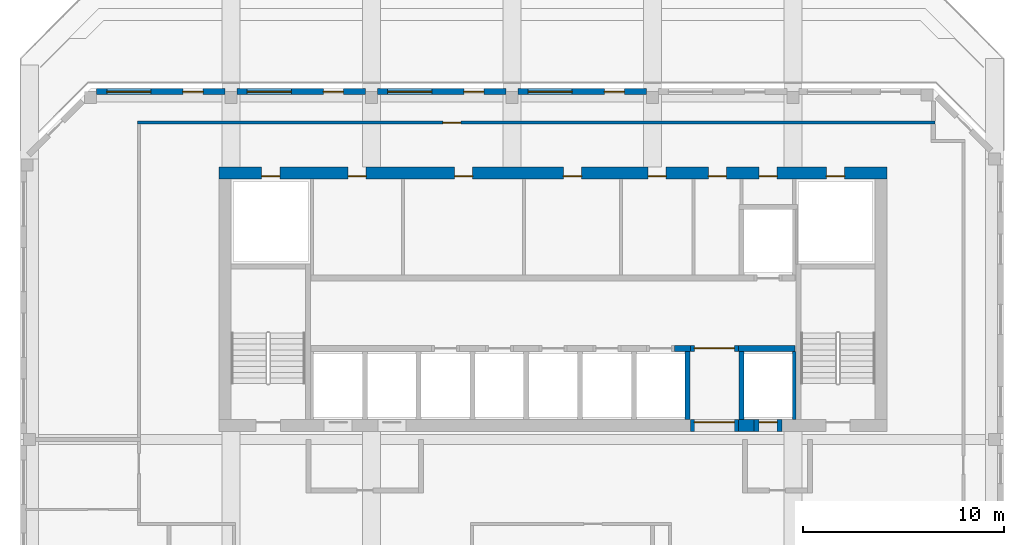
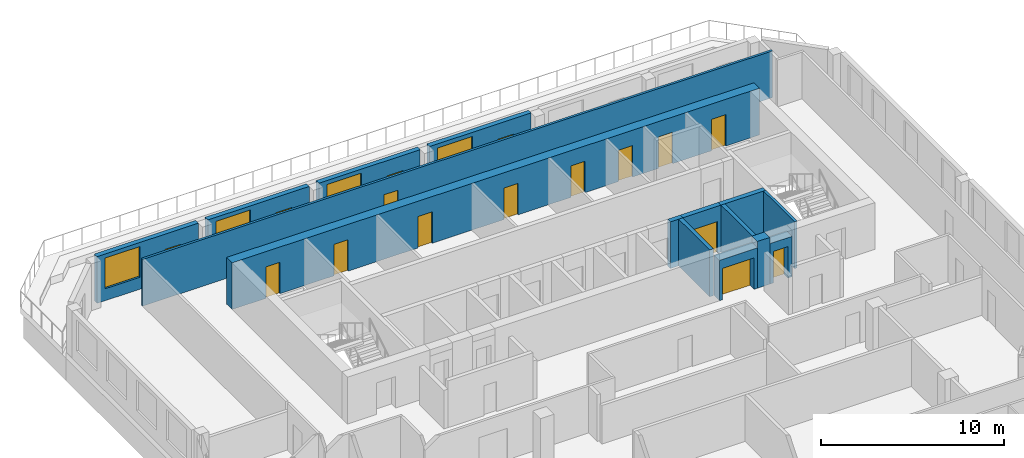
# One storey, part 7 of 12: 16 doors, 15 walls, 4 windows, 20 openings.
"""IFC4 building model written with IfcOpenShell, lengths in metres."""

from ifc_helpers import new_model, si_unit, direction, frame, frame_2d, origin, place, context, subcontext, project, spatial, rectangle, extrude, source, transform, mapped, material, layer, layer_set, type_object, element, fill, save


model = new_model("IFC4")

# Units and contexts
model_context = context("Model", 3, precision=1e-05, world=origin(), true_north=direction((0.0, 1.0)))
body_context = subcontext(model_context, "Body", "Model", "MODEL_VIEW")
ifc_project = project(units=[si_unit("LENGTHUNIT", "METRE"), si_unit("AREAUNIT", "SQUARE_METRE"), si_unit("VOLUMEUNIT", "CUBIC_METRE"), si_unit("PLANEANGLEUNIT", "RADIAN"), si_unit("MASSUNIT", "GRAM", prefix="KILO")], contexts=[model_context])

# Site, building, storey
site_placement = place(None, origin())
site = spatial("IfcSite", under=ifc_project, at=site_placement, CompositionType="ELEMENT")
building_placement = place(site_placement, origin())
building = spatial("IfcBuilding", under=site, at=building_placement, Name="Kilnfold Tower and Market Hall", CompositionType="ELEMENT")
storey_placement = place(building_placement, frame((0.0, 0.0, 295.0)))
storey = spatial("IfcBuildingStorey", under=building, at=storey_placement, Name="L73", CompositionType="ELEMENT", Elevation=295.0)

# Wall, opening, door
ifc_material_1 = material(Name="Gypsum board on steel studs", Category="steel")
ifc_layer_1 = layer(ifc_material_1, 0.14990234375)
ifc_layer_set_1 = layer_set([ifc_layer_1], Name="Gypsum board on steel studs")
wall_type_1 = type_object("IfcWallType", Name="WALL CORRIDOR 150", PredefinedType="PARTITIONING", material=ifc_layer_set_1)
wall_1_placement = place(storey_placement, frame((20.087890625, 23.800048828125, 0.0), z_axis=(0.0, 0.0, 1.0), x_axis=(-1.0, 0.0, 0.0)))
wall_1 = element("IfcWall", 1, at=wall_1_placement, inside=storey, type_object=wall_type_1, Name="Partition LY45.8", PredefinedType="PARTITIONING", context=body_context, shape_type="SweptSolid", body=[
    extrude(rectangle(XDim=39.762939453125, YDim=0.14990234375, at=frame_2d((19.88134765625, 0.0))), origin(), (0.0, 0.0, 1.0), 3.1201171875),
])
opening_1_placement = place(wall_1_placement, frame((23.637939453125, 0.0, 0.0)))
opening_1 = element("IfcOpeningElement", 2, at=opening_1_placement, cuts=wall_1, Name="Opening D2", PredefinedType="OPENING", context=body_context, shape_type="SweptSolid", body=[
    extrude(rectangle(XDim=0.89990234375, YDim=2.10009765625, at=frame_2d((0.449951171875, 1.050048828125))), frame((0.0, 0.0849609375, 0.0), z_axis=(0.0, -1.0, 0.0), x_axis=(1.0, 0.0, 0.0)), (0.0, 0.0, 1.0), 0.169921875),
])
ifc_material_2 = material(Name="Timber veneer door leaf in steel frame", Category="steel")
door_type_1 = type_object("IfcDoorType", Name="DOOR ROOM 900 X2100", OperationType="NOTDEFINED", PredefinedType="DOOR", material=ifc_material_2)
door_1_placement = place(opening_1_placement, origin())
door_1 = element("IfcDoor", 3, at=door_1_placement, inside=storey, type_object=door_type_1, Name="Door D2", OperationType="SINGLE_SWING_LEFT", OverallHeight=2.10009765625, OverallWidth=0.89990234375, PredefinedType="DOOR", context=body_context, shape_type="SweptSolid", body=[
    extrude(rectangle(XDim=0.89990234375, YDim=2.10009765625, at=frame_2d((0.449951171875, 1.050048828125))), frame((0.0, 0.02490234375, 0.0), z_axis=(0.0, -1.0, 0.0), x_axis=(1.0, 0.0, 0.0)), (0.0, 0.0, 1.0), 0.050048828125),
])
fill(opening_1, door_1)

# Walls
ifc_material_3 = material(Name="Concrete C50", Category="concrete")
ifc_layer_2 = layer(ifc_material_3, 0.300048828125)
ifc_layer_set_2 = layer_set([ifc_layer_2], Name="Concrete C50")
wall_type_2 = type_object("IfcWallType", Name="CORE WALL 300 C50", PredefinedType="SHEAR", material=ifc_layer_set_2)
shared_shape_1 = source(origin(), body_context, "Body", "SweptSolid", [
    extrude(rectangle(XDim=0.77978515625, YDim=0.300048828125, at=frame_2d((0.389892578125, 0.0))), origin(), (0.0, 0.0, 1.0), 3.1201171875),
])
wall_2_placement = place(storey_placement, frame((7.110107421875, 12.550048828125, 0.0), z_axis=(0.0, 0.0, 1.0), x_axis=(1.0, 0.0, 0.0)))
element("IfcWall", 4, at=wall_2_placement, inside=storey, type_object=wall_type_2, Name="Core spine wall", PredefinedType="SHEAR", context=body_context, shape_type="MappedRepresentation", body=[
    mapped(shared_shape_1, transform((0.0, 0.0, 0.0))),
])
shared_shape_2 = source(origin(), body_context, "Body", "SweptSolid", [
    extrude(rectangle(XDim=2.820068359375, YDim=0.300048828125, at=frame_2d((1.41015625, 0.0))), origin(), (0.0, 0.0, 1.0), 3.1201171875),
])
wall_3_placement = place(storey_placement, frame((10.2900390625, 12.550048828125, 0.0), z_axis=(0.0, 0.0, 1.0), x_axis=(1.0, 0.0, 0.0)))
element("IfcWall", 5, at=wall_3_placement, inside=storey, type_object=wall_type_2, Name="Core spine wall", PredefinedType="SHEAR", context=body_context, shape_type="MappedRepresentation", body=[
    mapped(shared_shape_2, transform((0.0, 0.0, 0.0))),
])
ifc_material_4 = material(Name="Concrete C50", Category="concrete")
ifc_layer_3 = layer(ifc_material_4, 0.60009765625)
ifc_layer_set_3 = layer_set([ifc_layer_3], Name="Concrete C50")
wall_type_3 = type_object("IfcWallType", Name="CORE WALL 600 C50", PredefinedType="SHEAR", material=ifc_layer_set_3)
shared_shape_3 = source(origin(), body_context, "Body", "SweptSolid", [
    extrude(rectangle(XDim=0.780029296875, YDim=0.60009765625, at=frame_2d((0.39013671875, 0.0))), origin(), (0.0, 0.0, 1.0), 3.1201171875),
])
wall_4_placement = place(storey_placement, frame((10.2900390625, 8.699951171875, 0.0), z_axis=(0.0, 0.0, 1.0), x_axis=(1.0, 0.0, 0.0)))
element("IfcWall", 6, at=wall_4_placement, inside=storey, type_object=wall_type_3, Name="Core outer wall south", PredefinedType="SHEAR", context=body_context, shape_type="MappedRepresentation", body=[
    mapped(shared_shape_3, transform((0.0, 0.0, 0.0))),
])

# Wall, openings, doors
shared_shape_4 = source(origin(), body_context, "Body", "SweptSolid", [
    extrude(rectangle(XDim=33.300048828125, YDim=0.60009765625, at=frame_2d((16.64990234375, 0.0))), origin(), (0.0, 0.0, 1.0), 3.1201171875),
])
wall_5_placement = place(storey_placement, frame((-15.60009765625, 21.300048828125, 0.0), z_axis=(0.0, 0.0, 1.0), x_axis=(1.0, 0.0, 0.0)))
wall_5 = element("IfcWall", 7, at=wall_5_placement, inside=storey, type_object=wall_type_3, Name="Core outer wall north", PredefinedType="SHEAR", context=body_context, shape_type="MappedRepresentation", body=[
    mapped(shared_shape_4, transform((0.0, 0.0, 0.0))),
])
opening_2_placement = place(wall_5_placement, frame((6.431396484375, 0.0, 0.0)))
opening_2 = element("IfcOpeningElement", 8, at=opening_2_placement, cuts=wall_5, Name="Opening KD1", PredefinedType="OPENING", context=body_context, shape_type="SweptSolid", body=[
    extrude(rectangle(XDim=0.89990234375, YDim=2.10009765625, at=frame_2d((0.449951171875, 1.050048828125))), frame((0.0, 0.31005859375, 0.0), z_axis=(0.0, -1.0, 0.0), x_axis=(1.0, 0.0, 0.0)), (0.0, 0.0, 1.0), 0.6201171875),
])
opening_3_placement = place(wall_5_placement, frame((11.73779296875, 0.0, 0.0)))
opening_3 = element("IfcOpeningElement", 9, at=opening_3_placement, cuts=wall_5, Name="Opening KD1", PredefinedType="OPENING", context=body_context, shape_type="SweptSolid", body=[
    extrude(rectangle(XDim=0.89990234375, YDim=2.10009765625, at=frame_2d((0.449951171875, 1.050048828125))), frame((0.0, 0.31005859375, 0.0), z_axis=(0.0, -1.0, 0.0), x_axis=(1.0, 0.0, 0.0)), (0.0, 0.0, 1.0), 0.6201171875),
])
opening_4_placement = place(wall_5_placement, frame((17.164794921875, 0.0, 0.0)))
opening_4 = element("IfcOpeningElement", 10, at=opening_4_placement, cuts=wall_5, Name="Opening KD1", PredefinedType="OPENING", context=body_context, shape_type="SweptSolid", body=[
    extrude(rectangle(XDim=0.89990234375, YDim=2.10009765625, at=frame_2d((0.449951171875, 1.050048828125))), frame((0.0, 0.31005859375, 0.0), z_axis=(0.0, -1.0, 0.0), x_axis=(1.0, 0.0, 0.0)), (0.0, 0.0, 1.0), 0.6201171875),
])
opening_5_placement = place(wall_5_placement, frame((21.3857421875, 0.0, 0.0)))
opening_5 = element("IfcOpeningElement", 11, at=opening_5_placement, cuts=wall_5, Name="Opening KD1", PredefinedType="OPENING", context=body_context, shape_type="SweptSolid", body=[
    extrude(rectangle(XDim=0.89990234375, YDim=2.10009765625, at=frame_2d((0.449951171875, 1.050048828125))), frame((0.0, 0.31005859375, 0.0), z_axis=(0.0, -1.0, 0.0), x_axis=(1.0, 0.0, 0.0)), (0.0, 0.0, 1.0), 0.6201171875),
])
opening_6_placement = place(wall_5_placement, frame((24.387451171875, 0.0, 0.0)))
opening_6 = element("IfcOpeningElement", 12, at=opening_6_placement, cuts=wall_5, Name="Opening KD1", PredefinedType="OPENING", context=body_context, shape_type="SweptSolid", body=[
    extrude(rectangle(XDim=0.89990234375, YDim=2.10009765625, at=frame_2d((0.449951171875, 1.050048828125))), frame((0.0, 0.31005859375, 0.0), z_axis=(0.0, -1.0, 0.0), x_axis=(1.0, 0.0, 0.0)), (0.0, 0.0, 1.0), 0.6201171875),
])
opening_7_placement = place(wall_5_placement, frame((26.919921875, 0.0, 0.0)))
opening_7 = element("IfcOpeningElement", 13, at=opening_7_placement, cuts=wall_5, Name="Opening KD1", PredefinedType="OPENING", context=body_context, shape_type="SweptSolid", body=[
    extrude(rectangle(XDim=0.89990234375, YDim=2.10009765625, at=frame_2d((0.449951171875, 1.050048828125))), frame((0.0, 0.31005859375, 0.0), z_axis=(0.0, -1.0, 0.0), x_axis=(1.0, 0.0, 0.0)), (0.0, 0.0, 1.0), 0.6201171875),
])
opening_8_placement = place(wall_5_placement, frame((2.125, 0.0, 0.0)))
opening_8 = element("IfcOpeningElement", 14, at=opening_8_placement, cuts=wall_5, Name="Opening KD1", PredefinedType="OPENING", context=body_context, shape_type="SweptSolid", body=[
    extrude(rectangle(XDim=0.89990234375, YDim=2.10009765625, at=frame_2d((0.449951171875, 1.050048828125))), frame((0.0, 0.31005859375, 0.0), z_axis=(0.0, -1.0, 0.0), x_axis=(1.0, 0.0, 0.0)), (0.0, 0.0, 1.0), 0.6201171875),
])
opening_9_placement = place(wall_5_placement, frame((30.27490234375, 0.0, 0.0)))
opening_9 = element("IfcOpeningElement", 15, at=opening_9_placement, cuts=wall_5, Name="Opening KD1", PredefinedType="OPENING", context=body_context, shape_type="SweptSolid", body=[
    extrude(rectangle(XDim=0.89990234375, YDim=2.10009765625, at=frame_2d((0.449951171875, 1.050048828125))), frame((0.0, 0.31005859375, 0.0), z_axis=(0.0, -1.0, 0.0), x_axis=(1.0, 0.0, 0.0)), (0.0, 0.0, 1.0), 0.6201171875),
])
ifc_material_5 = material(Name="Steel door set with fire-resisting leaf", Category="steel")
door_type_2 = type_object("IfcDoorType", Name="SERVICE DOOR 900X2100", OperationType="NOTDEFINED", PredefinedType="DOOR", material=ifc_material_5)
door_2_placement = place(opening_2_placement, origin())
door_2 = element("IfcDoor", 16, at=door_2_placement, inside=storey, type_object=door_type_2, Name="Core service door", OperationType="SINGLE_SWING_RIGHT", OverallHeight=2.10009765625, OverallWidth=0.89990234375, PredefinedType="DOOR", context=body_context, shape_type="SweptSolid", body=[
    extrude(rectangle(XDim=0.89990234375, YDim=2.10009765625, at=frame_2d((0.449951171875, 1.050048828125))), frame((0.0, -0.15478515625, 0.0), z_axis=(0.0, -1.0, 0.0), x_axis=(1.0, 0.0, 0.0)), (0.0, 0.0, 1.0), 0.050048828125),
])
fill(opening_2, door_2)
door_3_placement = place(opening_3_placement, origin())
door_3 = element("IfcDoor", 17, at=door_3_placement, inside=storey, type_object=door_type_2, Name="Core service door", OperationType="SINGLE_SWING_LEFT", OverallHeight=2.10009765625, OverallWidth=0.89990234375, PredefinedType="DOOR", context=body_context, shape_type="SweptSolid", body=[
    extrude(rectangle(XDim=0.89990234375, YDim=2.10009765625, at=frame_2d((0.449951171875, 1.050048828125))), frame((0.0, -0.15478515625, 0.0), z_axis=(0.0, -1.0, 0.0), x_axis=(1.0, 0.0, 0.0)), (0.0, 0.0, 1.0), 0.050048828125),
])
fill(opening_3, door_3)
door_4_placement = place(opening_4_placement, origin())
door_4 = element("IfcDoor", 18, at=door_4_placement, inside=storey, type_object=door_type_2, Name="Core service door", OperationType="SINGLE_SWING_RIGHT", OverallHeight=2.10009765625, OverallWidth=0.89990234375, PredefinedType="DOOR", context=body_context, shape_type="SweptSolid", body=[
    extrude(rectangle(XDim=0.89990234375, YDim=2.10009765625, at=frame_2d((0.449951171875, 1.050048828125))), frame((0.0, -0.15478515625, 0.0), z_axis=(0.0, -1.0, 0.0), x_axis=(1.0, 0.0, 0.0)), (0.0, 0.0, 1.0), 0.050048828125),
])
fill(opening_4, door_4)
door_5_placement = place(opening_5_placement, origin())
door_5 = element("IfcDoor", 19, at=door_5_placement, inside=storey, type_object=door_type_2, Name="Core service door", OperationType="SINGLE_SWING_LEFT", OverallHeight=2.10009765625, OverallWidth=0.89990234375, PredefinedType="DOOR", context=body_context, shape_type="SweptSolid", body=[
    extrude(rectangle(XDim=0.89990234375, YDim=2.10009765625, at=frame_2d((0.449951171875, 1.050048828125))), frame((0.0, -0.15478515625, 0.0), z_axis=(0.0, -1.0, 0.0), x_axis=(1.0, 0.0, 0.0)), (0.0, 0.0, 1.0), 0.050048828125),
])
fill(opening_5, door_5)
door_6_placement = place(opening_6_placement, origin())
door_6 = element("IfcDoor", 20, at=door_6_placement, inside=storey, type_object=door_type_2, Name="Core service door", OperationType="SINGLE_SWING_RIGHT", OverallHeight=2.10009765625, OverallWidth=0.89990234375, PredefinedType="DOOR", context=body_context, shape_type="SweptSolid", body=[
    extrude(rectangle(XDim=0.89990234375, YDim=2.10009765625, at=frame_2d((0.449951171875, 1.050048828125))), frame((0.0, -0.15478515625, 0.0), z_axis=(0.0, -1.0, 0.0), x_axis=(1.0, 0.0, 0.0)), (0.0, 0.0, 1.0), 0.050048828125),
])
fill(opening_6, door_6)
door_7_placement = place(opening_7_placement, origin())
door_7 = element("IfcDoor", 21, at=door_7_placement, inside=storey, type_object=door_type_2, Name="Core service door", OperationType="SINGLE_SWING_LEFT", OverallHeight=2.10009765625, OverallWidth=0.89990234375, PredefinedType="DOOR", context=body_context, shape_type="SweptSolid", body=[
    extrude(rectangle(XDim=0.89990234375, YDim=2.10009765625, at=frame_2d((0.449951171875, 1.050048828125))), frame((0.0, -0.15478515625, 0.0), z_axis=(0.0, -1.0, 0.0), x_axis=(1.0, 0.0, 0.0)), (0.0, 0.0, 1.0), 0.050048828125),
])
fill(opening_7, door_7)
door_8_placement = place(opening_8_placement, origin())
door_8 = element("IfcDoor", 22, at=door_8_placement, inside=storey, type_object=door_type_2, Name="Electrical riser access door", OperationType="SINGLE_SWING_RIGHT", OverallHeight=2.10009765625, OverallWidth=0.89990234375, PredefinedType="DOOR", context=body_context, shape_type="SweptSolid", body=[
    extrude(rectangle(XDim=0.89990234375, YDim=2.10009765625, at=frame_2d((0.449951171875, 1.050048828125))), frame((0.0, -0.15478515625, 0.0), z_axis=(0.0, -1.0, 0.0), x_axis=(1.0, 0.0, 0.0)), (0.0, 0.0, 1.0), 0.050048828125),
])
fill(opening_8, door_8)
door_9_placement = place(opening_9_placement, origin())
door_9 = element("IfcDoor", 23, at=door_9_placement, inside=storey, type_object=door_type_2, Name="Mechanical riser access door", OperationType="SINGLE_SWING_LEFT", OverallHeight=2.10009765625, OverallWidth=0.89990234375, PredefinedType="DOOR", context=body_context, shape_type="SweptSolid", body=[
    extrude(rectangle(XDim=0.89990234375, YDim=2.10009765625, at=frame_2d((0.449951171875, 1.050048828125))), frame((0.0, -0.15478515625, 0.0), z_axis=(0.0, -1.0, 0.0), x_axis=(1.0, 0.0, 0.0)), (0.0, 0.0, 1.0), 0.050048828125),
])
fill(opening_9, door_9)

# Wall, openings, door, window
ifc_material_6 = material(Name="Precast concrete C50/60", Category="concrete")
ifc_layer_4 = layer(ifc_material_6, 0.300048828125)
ifc_layer_set_4 = layer_set([ifc_layer_4], Name="Precast concrete C50/60")
wall_type_4 = type_object("IfcWallType", Name="PRECAST WALL 300", PredefinedType="SOLIDWALL", material=ifc_layer_set_4)
shared_shape_5 = source(origin(), body_context, "Body", "SweptSolid", [
    extrude(rectangle(XDim=6.39990234375, YDim=0.300048828125, at=frame_2d((3.199951171875, 0.0))), origin(), (0.0, 0.0, 1.0), 3.1201171875),
])
wall_6_placement = place(storey_placement, frame((5.699951171875, 25.35009765625, 0.0), z_axis=(0.0, 0.0, 1.0), x_axis=(-1.0, 0.0, 0.0)))
wall_6 = element("IfcWall", 24, at=wall_6_placement, inside=storey, type_object=wall_type_4, Name="External wall L73 N", PredefinedType="SOLIDWALL", context=body_context, shape_type="MappedRepresentation", body=[
    mapped(shared_shape_5, transform((0.0, 0.0, 0.0))),
])
opening_10_placement = place(wall_6_placement, frame((1.10009765625, 0.0, 0.0)))
opening_10 = element("IfcOpeningElement", 25, at=opening_10_placement, cuts=wall_6, Name="Opening BD1", PredefinedType="OPENING", context=body_context, shape_type="SweptSolid", body=[
    extrude(rectangle(XDim=1.0, YDim=2.10009765625, at=frame_2d((0.5, 1.050048828125))), frame((0.0, 0.16015625, 0.0), z_axis=(0.0, -1.0, 0.0), x_axis=(1.0, 0.0, 0.0)), (0.0, 0.0, 1.0), 0.320068359375),
])
opening_11_placement = place(wall_6_placement, frame((3.699951171875, 0.0, 0.800048828125)))
opening_11 = element("IfcOpeningElement", 26, at=opening_11_placement, cuts=wall_6, Name="Opening W3", PredefinedType="OPENING", context=body_context, shape_type="SweptSolid", body=[
    extrude(rectangle(XDim=2.199951171875, YDim=2.050048828125, at=frame_2d((1.10009765625, 1.02490234375))), frame((0.0, 0.16015625, 0.0), z_axis=(0.0, -1.0, 0.0), x_axis=(1.0, 0.0, 0.0)), (0.0, 0.0, 1.0), 0.320068359375),
])
ifc_material_7 = material(Name="Aluminium frame and double glazing", Category="aluminium")
door_type_3 = type_object("IfcDoorType", Name="BALCONY DOOR 1000X2100", OperationType="NOTDEFINED", PredefinedType="DOOR", material=ifc_material_7)
door_10_placement = place(opening_10_placement, origin())
door_10 = element("IfcDoor", 27, at=door_10_placement, inside=storey, type_object=door_type_3, Name="Balcony door BD1 L73 N-1", OperationType="SINGLE_SWING_LEFT", OverallHeight=2.10009765625, OverallWidth=1.0, PredefinedType="DOOR", context=body_context, shape_type="SweptSolid", body=[
    extrude(rectangle(XDim=1.0, YDim=2.10009765625, at=frame_2d((0.5, 1.050048828125))), frame((0.0, 0.02490234375, 0.0), z_axis=(0.0, -1.0, 0.0), x_axis=(1.0, 0.0, 0.0)), (0.0, 0.0, 1.0), 0.050048828125),
])
fill(opening_10, door_10)
ifc_material_8 = material(Name="Aluminium frame and double glazing", Category="aluminium")
window_type = type_object("IfcWindowType", Name="WINDOW W3 2200X2050", PartitioningType="SINGLE_PANEL", PredefinedType="WINDOW", material=ifc_material_8)
window_1_placement = place(opening_11_placement, origin())
window_1 = element("IfcWindow", 28, at=window_1_placement, inside=storey, type_object=window_type, Name="Window W3 L73 N-2", OverallHeight=2.050048828125, OverallWidth=2.199951171875, PartitioningType="SINGLE_PANEL", PredefinedType="WINDOW", context=body_context, shape_type="SweptSolid", body=[
    extrude(rectangle(XDim=2.199951171875, YDim=2.050048828125, at=frame_2d((1.10009765625, 1.02490234375))), frame((0.0, 0.030029296875, 0.0), z_axis=(0.0, -1.0, 0.0), x_axis=(1.0, 0.0, 0.0)), (0.0, 0.0, 1.0), 0.06005859375),
])
fill(opening_11, window_1)

wall_7_placement = place(storey_placement, frame((-1.300048828125, 25.35009765625, 0.0), z_axis=(0.0, 0.0, 1.0), x_axis=(-1.0, 0.0, 0.0)))
wall_7 = element("IfcWall", 29, at=wall_7_placement, inside=storey, type_object=wall_type_4, Name="External wall L73 N", PredefinedType="SOLIDWALL", context=body_context, shape_type="MappedRepresentation", body=[
    mapped(shared_shape_5, transform((0.0, 0.0, 0.0))),
])
opening_12_placement = place(wall_7_placement, frame((1.10009765625, 0.0, 0.0)))
opening_12 = element("IfcOpeningElement", 30, at=opening_12_placement, cuts=wall_7, Name="Opening BD1", PredefinedType="OPENING", context=body_context, shape_type="SweptSolid", body=[
    extrude(rectangle(XDim=1.0, YDim=2.10009765625, at=frame_2d((0.5, 1.050048828125))), frame((0.0, 0.16015625, 0.0), z_axis=(0.0, -1.0, 0.0), x_axis=(1.0, 0.0, 0.0)), (0.0, 0.0, 1.0), 0.320068359375),
])
opening_13_placement = place(wall_7_placement, frame((3.699951171875, 0.0, 0.800048828125)))
opening_13 = element("IfcOpeningElement", 31, at=opening_13_placement, cuts=wall_7, Name="Opening W3", PredefinedType="OPENING", context=body_context, shape_type="SweptSolid", body=[
    extrude(rectangle(XDim=2.199951171875, YDim=2.050048828125, at=frame_2d((1.10009765625, 1.02490234375))), frame((0.0, 0.16015625, 0.0), z_axis=(0.0, -1.0, 0.0), x_axis=(1.0, 0.0, 0.0)), (0.0, 0.0, 1.0), 0.320068359375),
])
door_11_placement = place(opening_12_placement, origin())
door_11 = element("IfcDoor", 32, at=door_11_placement, inside=storey, type_object=door_type_3, Name="Balcony door BD1 L73 N-1", OperationType="SINGLE_SWING_LEFT", OverallHeight=2.10009765625, OverallWidth=1.0, PredefinedType="DOOR", context=body_context, shape_type="SweptSolid", body=[
    extrude(rectangle(XDim=1.0, YDim=2.10009765625, at=frame_2d((0.5, 1.050048828125))), frame((0.0, 0.02490234375, 0.0), z_axis=(0.0, -1.0, 0.0), x_axis=(1.0, 0.0, 0.0)), (0.0, 0.0, 1.0), 0.050048828125),
])
fill(opening_12, door_11)
window_2_placement = place(opening_13_placement, origin())
window_2 = element("IfcWindow", 33, at=window_2_placement, inside=storey, type_object=window_type, Name="Window W3 L73 N-2", OverallHeight=2.050048828125, OverallWidth=2.199951171875, PartitioningType="SINGLE_PANEL", PredefinedType="WINDOW", context=body_context, shape_type="SweptSolid", body=[
    extrude(rectangle(XDim=2.199951171875, YDim=2.050048828125, at=frame_2d((1.10009765625, 1.02490234375))), frame((0.0, 0.030029296875, 0.0), z_axis=(0.0, -1.0, 0.0), x_axis=(1.0, 0.0, 0.0)), (0.0, 0.0, 1.0), 0.06005859375),
])
fill(opening_13, window_2)

wall_8_placement = place(storey_placement, frame((-8.300048828125, 25.35009765625, 0.0), z_axis=(0.0, 0.0, 1.0), x_axis=(-1.0, 0.0, 0.0)))
wall_8 = element("IfcWall", 34, at=wall_8_placement, inside=storey, type_object=wall_type_4, Name="External wall L73 N", PredefinedType="SOLIDWALL", context=body_context, shape_type="MappedRepresentation", body=[
    mapped(shared_shape_5, transform((0.0, 0.0, 0.0))),
])
opening_14_placement = place(wall_8_placement, frame((1.10009765625, 0.0, 0.0)))
opening_14 = element("IfcOpeningElement", 35, at=opening_14_placement, cuts=wall_8, Name="Opening BD1", PredefinedType="OPENING", context=body_context, shape_type="SweptSolid", body=[
    extrude(rectangle(XDim=1.0, YDim=2.10009765625, at=frame_2d((0.5, 1.050048828125))), frame((0.0, 0.16015625, 0.0), z_axis=(0.0, -1.0, 0.0), x_axis=(1.0, 0.0, 0.0)), (0.0, 0.0, 1.0), 0.320068359375),
])
opening_15_placement = place(wall_8_placement, frame((3.699951171875, 0.0, 0.800048828125)))
opening_15 = element("IfcOpeningElement", 36, at=opening_15_placement, cuts=wall_8, Name="Opening W3", PredefinedType="OPENING", context=body_context, shape_type="SweptSolid", body=[
    extrude(rectangle(XDim=2.199951171875, YDim=2.050048828125, at=frame_2d((1.10009765625, 1.02490234375))), frame((0.0, 0.16015625, 0.0), z_axis=(0.0, -1.0, 0.0), x_axis=(1.0, 0.0, 0.0)), (0.0, 0.0, 1.0), 0.320068359375),
])
door_12_placement = place(opening_14_placement, origin())
door_12 = element("IfcDoor", 37, at=door_12_placement, inside=storey, type_object=door_type_3, Name="Balcony door BD1 L73 N-1", OperationType="SINGLE_SWING_LEFT", OverallHeight=2.10009765625, OverallWidth=1.0, PredefinedType="DOOR", context=body_context, shape_type="SweptSolid", body=[
    extrude(rectangle(XDim=1.0, YDim=2.10009765625, at=frame_2d((0.5, 1.050048828125))), frame((0.0, 0.02490234375, 0.0), z_axis=(0.0, -1.0, 0.0), x_axis=(1.0, 0.0, 0.0)), (0.0, 0.0, 1.0), 0.050048828125),
])
fill(opening_14, door_12)
window_3_placement = place(opening_15_placement, origin())
window_3 = element("IfcWindow", 38, at=window_3_placement, inside=storey, type_object=window_type, Name="Window W3 L73 N-2", OverallHeight=2.050048828125, OverallWidth=2.199951171875, PartitioningType="SINGLE_PANEL", PredefinedType="WINDOW", context=body_context, shape_type="SweptSolid", body=[
    extrude(rectangle(XDim=2.199951171875, YDim=2.050048828125, at=frame_2d((1.10009765625, 1.02490234375))), frame((0.0, 0.030029296875, 0.0), z_axis=(0.0, -1.0, 0.0), x_axis=(1.0, 0.0, 0.0)), (0.0, 0.0, 1.0), 0.06005859375),
])
fill(opening_15, window_3)

wall_9_placement = place(storey_placement, frame((-15.300048828125, 25.35009765625, 0.0), z_axis=(0.0, 0.0, 1.0), x_axis=(-1.0, 0.0, 0.0)))
wall_9 = element("IfcWall", 39, at=wall_9_placement, inside=storey, type_object=wall_type_4, Name="External wall L73 N", PredefinedType="SOLIDWALL", context=body_context, shape_type="MappedRepresentation", body=[
    mapped(shared_shape_5, transform((0.0, 0.0, 0.0))),
])
opening_16_placement = place(wall_9_placement, frame((1.10009765625, 0.0, 0.0)))
opening_16 = element("IfcOpeningElement", 40, at=opening_16_placement, cuts=wall_9, Name="Opening BD1", PredefinedType="OPENING", context=body_context, shape_type="SweptSolid", body=[
    extrude(rectangle(XDim=1.0, YDim=2.10009765625, at=frame_2d((0.5, 1.050048828125))), frame((0.0, 0.16015625, 0.0), z_axis=(0.0, -1.0, 0.0), x_axis=(1.0, 0.0, 0.0)), (0.0, 0.0, 1.0), 0.320068359375),
])
opening_17_placement = place(wall_9_placement, frame((3.699951171875, 0.0, 0.800048828125)))
opening_17 = element("IfcOpeningElement", 41, at=opening_17_placement, cuts=wall_9, Name="Opening W3", PredefinedType="OPENING", context=body_context, shape_type="SweptSolid", body=[
    extrude(rectangle(XDim=2.199951171875, YDim=2.050048828125, at=frame_2d((1.10009765625, 1.02490234375))), frame((0.0, 0.16015625, 0.0), z_axis=(0.0, -1.0, 0.0), x_axis=(1.0, 0.0, 0.0)), (0.0, 0.0, 1.0), 0.320068359375),
])
door_13_placement = place(opening_16_placement, origin())
door_13 = element("IfcDoor", 42, at=door_13_placement, inside=storey, type_object=door_type_3, Name="Balcony door BD1 L73 N-1", OperationType="SINGLE_SWING_LEFT", OverallHeight=2.10009765625, OverallWidth=1.0, PredefinedType="DOOR", context=body_context, shape_type="SweptSolid", body=[
    extrude(rectangle(XDim=1.0, YDim=2.10009765625, at=frame_2d((0.5, 1.050048828125))), frame((0.0, 0.02490234375, 0.0), z_axis=(0.0, -1.0, 0.0), x_axis=(1.0, 0.0, 0.0)), (0.0, 0.0, 1.0), 0.050048828125),
])
fill(opening_16, door_13)
window_4_placement = place(opening_17_placement, origin())
window_4 = element("IfcWindow", 43, at=window_4_placement, inside=storey, type_object=window_type, Name="Window W3 L73 N-2", OverallHeight=2.050048828125, OverallWidth=2.199951171875, PartitioningType="SINGLE_PANEL", PredefinedType="WINDOW", context=body_context, shape_type="SweptSolid", body=[
    extrude(rectangle(XDim=2.199951171875, YDim=2.050048828125, at=frame_2d((1.10009765625, 1.02490234375))), frame((0.0, 0.030029296875, 0.0), z_axis=(0.0, -1.0, 0.0), x_axis=(1.0, 0.0, 0.0)), (0.0, 0.0, 1.0), 0.06005859375),
])
fill(opening_17, window_4)

# Wall, opening, door
ifc_material_9 = material(Name="Gypsum shaft wall system")
ifc_layer_5 = layer(ifc_material_9, 0.300048828125)
ifc_layer_set_5 = layer_set([ifc_layer_5], Name="Gypsum shaft wall system")
wall_type_5 = type_object("IfcWallType", Name="SHAFT WALL 300", PredefinedType="PARTITIONING", material=ifc_layer_set_5)
shared_shape_6 = source(origin(), body_context, "Body", "SweptSolid", [
    extrude(rectangle(XDim=2.400146484375, YDim=0.300048828125, at=frame_2d((1.2001953125, 0.0))), origin(), (0.0, 0.0, 1.0), 3.1201171875),
])
wall_10_placement = place(storey_placement, frame((7.889892578125, 12.550048828125, 0.0), z_axis=(0.0, 0.0, 1.0), x_axis=(1.0, 0.0, 0.0)))
wall_10 = element("IfcWall", 44, at=wall_10_placement, inside=storey, type_object=wall_type_5, Name="Lift shaft front wall", PredefinedType="PARTITIONING", context=body_context, shape_type="MappedRepresentation", body=[
    mapped(shared_shape_6, transform((0.0, 0.0, 0.0))),
])
opening_18_placement = place(wall_10_placement, frame((0.199951171875, 0.0, 0.0)))
opening_18 = element("IfcOpeningElement", 45, at=opening_18_placement, cuts=wall_10, Name="Opening VD2", PredefinedType="OPENING", context=body_context, shape_type="SweptSolid", body=[
    extrude(rectangle(XDim=2.0, YDim=2.10009765625, at=frame_2d((1.0, 1.050048828125))), frame((0.0, 0.16015625, 0.0), z_axis=(0.0, -1.0, 0.0), x_axis=(1.0, 0.0, 0.0)), (0.0, 0.0, 1.0), 0.320068359375),
])
ifc_material_10 = material(Name="Steel door set with fire-resisting leaf", Category="steel")
door_type_4 = type_object("IfcDoorType", Name="LIFT LOBBY ENTRANCE DOOR 2000X2100", OperationType="NOTDEFINED", PredefinedType="DOOR", material=ifc_material_10)
door_14_placement = place(opening_18_placement, origin())
door_14 = element("IfcDoor", 46, at=door_14_placement, inside=storey, type_object=door_type_4, Name="Lift lobby entrance door", OperationType="DOUBLE_DOOR_SINGLE_SWING", OverallHeight=2.10009765625, OverallWidth=2.0, PredefinedType="DOOR", context=body_context, shape_type="SweptSolid", body=[
    extrude(rectangle(XDim=2.0, YDim=2.10009765625, at=frame_2d((1.0, 1.050048828125))), frame((0.0, 0.02490234375, 0.0), z_axis=(0.0, -1.0, 0.0), x_axis=(1.0, 0.0, 0.0)), (0.0, 0.0, 1.0), 0.050048828125),
])
fill(opening_18, door_14)

# Walls
ifc_material_11 = material(Name="Gypsum shaft wall system")
ifc_layer_6 = layer(ifc_material_11, 0.25)
ifc_layer_set_6 = layer_set([ifc_layer_6], Name="Gypsum shaft wall system")
wall_type_6 = type_object("IfcWallType", Name="SHAFT WALL 250", PredefinedType="PARTITIONING", material=ifc_layer_set_6)
shared_shape_7 = source(origin(), body_context, "Body", "SweptSolid", [
    extrude(rectangle(XDim=3.39990234375, YDim=0.25, at=frame_2d((1.699951171875, 0.0))), origin(), (0.0, 0.0, 1.0), 3.1201171875),
])
for number, where, z_axis, x_axis, name in (
    (47, (10.429931640625, 9.0, 0.0), (0.0, 0.0, 1.0), (0.0, 1.0, 0.0), "Lift shaft wall"),
    (48, (7.75, 9.0, 0.0), (0.0, 0.0, 1.0), (0.0, 1.0, 0.0), "Lift shaft wall"),
):
    element("IfcWall", number, at=place(storey_placement, frame(where, z_axis=z_axis, x_axis=x_axis)), inside=storey, type_object=wall_type_6, Name=name, PredefinedType="PARTITIONING", context=body_context, shape_type="MappedRepresentation", body=[
        mapped(shared_shape_7, transform((0.0, 0.0, 0.0))),
    ])
ifc_material_12 = material(Name="Gypsum shaft wall system")
ifc_layer_7 = layer(ifc_material_12, 0.1650390625)
ifc_layer_set_7 = layer_set([ifc_layer_7], Name="Gypsum shaft wall system")
wall_type_7 = type_object("IfcWallType", Name="SHAFT WALL 165", PredefinedType="PARTITIONING", material=ifc_layer_set_7)
shared_shape_8 = source(origin(), body_context, "Body", "SweptSolid", [
    extrude(rectangle(XDim=3.39990234375, YDim=0.1650390625, at=frame_2d((1.699951171875, 0.0))), origin(), (0.0, 0.0, 1.0), 3.1201171875),
])
wall_11_placement = place(storey_placement, frame((13.0673828125, 9.0, 0.0), z_axis=(0.0, 0.0, 1.0), x_axis=(0.0, 1.0, 0.0)))
element("IfcWall", 49, at=wall_11_placement, inside=storey, type_object=wall_type_7, Name="Lift shaft wall", PredefinedType="PARTITIONING", context=body_context, shape_type="MappedRepresentation", body=[
    mapped(shared_shape_8, transform((0.0, 0.0, 0.0))),
])

# Wall, opening, door
ifc_material_13 = material(Name="Gypsum shaft wall system")
ifc_layer_8 = layer(ifc_material_13, 0.60009765625)
ifc_layer_set_8 = layer_set([ifc_layer_8], Name="Gypsum shaft wall system")
wall_type_8 = type_object("IfcWallType", Name="LOBBY WALL 600", PredefinedType="PARTITIONING", material=ifc_layer_set_8)
shared_shape_9 = source(origin(), body_context, "Body", "SweptSolid", [
    extrude(rectangle(XDim=1.39990234375, YDim=0.60009765625, at=frame_2d((0.699951171875, 0.0))), origin(), (0.0, 0.0, 1.0), 2.699951171875),
])
wall_12_placement = place(storey_placement, frame((11.070068359375, 8.699951171875, 0.0), z_axis=(0.0, 0.0, 1.0), x_axis=(1.0, 0.0, 0.0)))
wall_12 = element("IfcWall", 50, at=wall_12_placement, inside=storey, type_object=wall_type_8, Name="Core wall infill", PredefinedType="PARTITIONING", context=body_context, shape_type="MappedRepresentation", body=[
    mapped(shared_shape_9, transform((0.0, 0.0, 0.0))),
])
opening_19_placement = place(wall_12_placement, frame((0.25, 0.0, 0.0)))
opening_19 = element("IfcOpeningElement", 51, at=opening_19_placement, cuts=wall_12, Name="Opening LD1", PredefinedType="OPENING", context=body_context, shape_type="SweptSolid", body=[
    extrude(rectangle(XDim=0.89990234375, YDim=2.10009765625, at=frame_2d((0.449951171875, 1.050048828125))), frame((0.0, 0.31005859375, 0.0), z_axis=(0.0, -1.0, 0.0), x_axis=(1.0, 0.0, 0.0)), (0.0, 0.0, 1.0), 0.6201171875),
])
ifc_material_14 = material(Name="Steel door set with fire-resisting leaf", Category="steel")
door_type_5 = type_object("IfcDoorType", Name="FIREFIGHTING LANDING DOOR 900X2100", OperationType="NOTDEFINED", PredefinedType="DOOR", material=ifc_material_14)
door_15_placement = place(opening_19_placement, origin())
door_15 = element("IfcDoor", 52, at=door_15_placement, inside=storey, type_object=door_type_5, Name="Landing door FF3", OperationType="SLIDING_TO_LEFT", OverallHeight=2.10009765625, OverallWidth=0.89990234375, PredefinedType="DOOR", context=body_context, shape_type="SweptSolid", body=[
    extrude(rectangle(XDim=0.89990234375, YDim=2.10009765625, at=frame_2d((0.449951171875, 1.050048828125))), frame((0.0, 0.205078125, 0.0), z_axis=(0.0, -1.0, 0.0), x_axis=(1.0, 0.0, 0.0)), (0.0, 0.0, 1.0), 0.050048828125),
])
fill(opening_19, door_15)

shared_shape_10 = source(origin(), body_context, "Body", "SweptSolid", [
    extrude(rectangle(XDim=2.400146484375, YDim=0.60009765625, at=frame_2d((1.2001953125, 0.0))), origin(), (0.0, 0.0, 1.0), 2.699951171875),
])
wall_13_placement = place(storey_placement, frame((7.889892578125, 8.699951171875, 0.0), z_axis=(0.0, 0.0, 1.0), x_axis=(1.0, 0.0, 0.0)))
wall_13 = element("IfcWall", 53, at=wall_13_placement, inside=storey, type_object=wall_type_8, Name="Core wall infill", PredefinedType="PARTITIONING", context=body_context, shape_type="MappedRepresentation", body=[
    mapped(shared_shape_10, transform((0.0, 0.0, 0.0))),
])
opening_20_placement = place(wall_13_placement, frame((0.199951171875, 0.0, 0.0)))
opening_20 = element("IfcOpeningElement", 54, at=opening_20_placement, cuts=wall_13, Name="Opening VD2", PredefinedType="OPENING", context=body_context, shape_type="SweptSolid", body=[
    extrude(rectangle(XDim=2.0, YDim=2.10009765625, at=frame_2d((1.0, 1.050048828125))), frame((0.0, 0.31005859375, 0.0), z_axis=(0.0, -1.0, 0.0), x_axis=(1.0, 0.0, 0.0)), (0.0, 0.0, 1.0), 0.6201171875),
])
door_16_placement = place(opening_20_placement, origin())
door_16 = element("IfcDoor", 55, at=door_16_placement, inside=storey, type_object=door_type_4, Name="Lift lobby entrance door", OperationType="DOUBLE_DOOR_SINGLE_SWING", OverallHeight=2.10009765625, OverallWidth=2.0, PredefinedType="DOOR", context=body_context, shape_type="SweptSolid", body=[
    extrude(rectangle(XDim=2.0, YDim=2.10009765625, at=frame_2d((1.0, 1.050048828125))), frame((0.0, 0.205078125, 0.0), z_axis=(0.0, -1.0, 0.0), x_axis=(1.0, 0.0, 0.0)), (0.0, 0.0, 1.0), 0.050048828125),
])
fill(opening_20, door_16)

save(model, "model.ifc")
